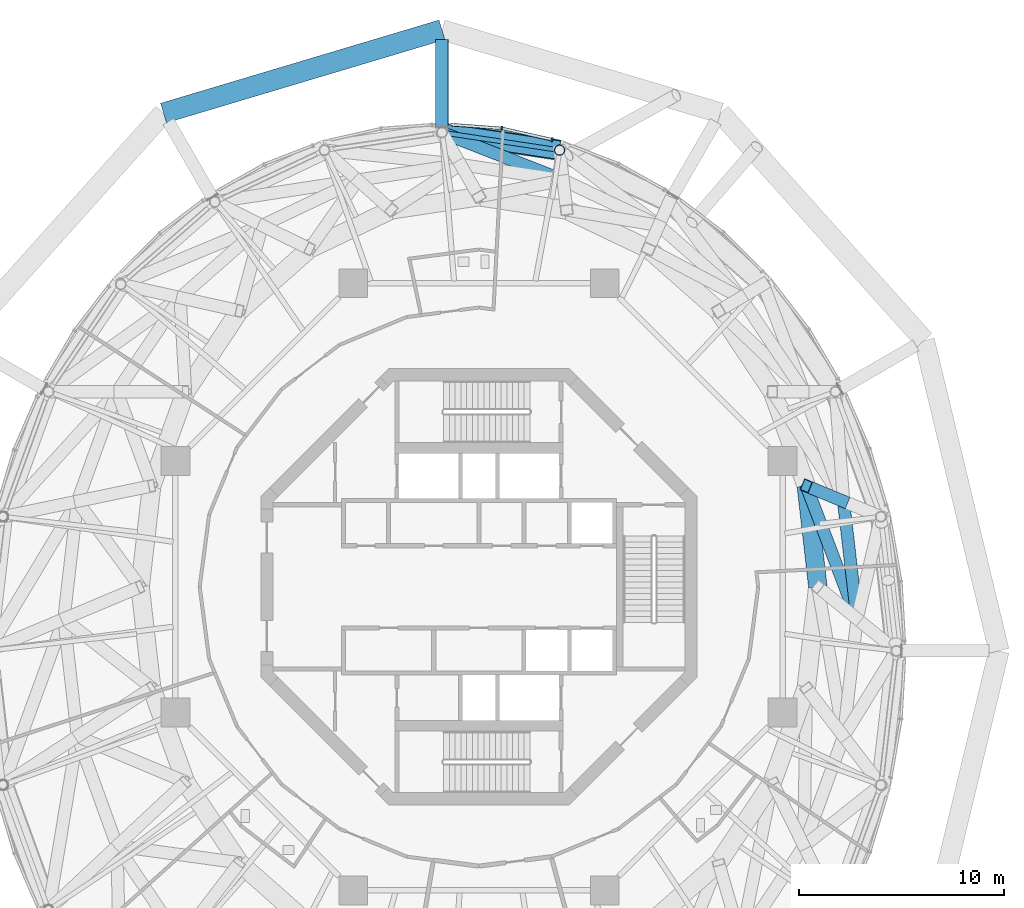
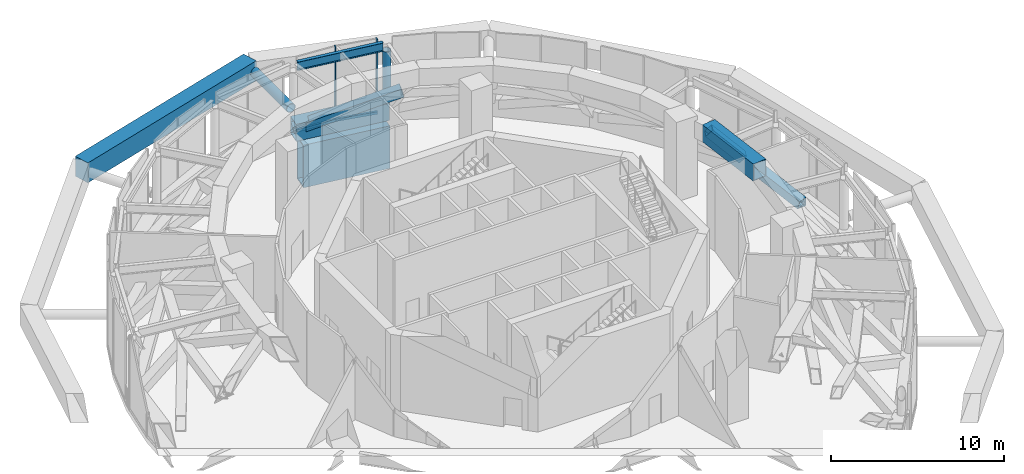
# One storey, part 9 of 22: 8 beams, 7 members, 2 elements without a shape of their own.
"""IFC4 building model written with IfcOpenShell, lengths in metres."""

from ifc_helpers import new_model, si_unit, direction, frame, origin, origin_2d, place, context, subcontext, project, spatial, rectangle, hollow_rectangle, hollow_circle, i_section, extrude, material, layer, layer_set, material_profile, profile_set, type_object, element, aggregate, save


model = new_model("IFC4")

# Units and contexts
model_context = context("Model", 3, precision=1e-05, world=origin(), true_north=direction((0.0, 1.0)))
body_context = subcontext(model_context, "Body", "Model", "MODEL_VIEW")
ifc_project = project(units=[si_unit("LENGTHUNIT", "METRE"), si_unit("AREAUNIT", "SQUARE_METRE"), si_unit("VOLUMEUNIT", "CUBIC_METRE"), si_unit("PLANEANGLEUNIT", "RADIAN"), si_unit("MASSUNIT", "GRAM", prefix="KILO")], contexts=[model_context])

# Site, building, storey
site_placement = place(None, origin())
site = spatial("IfcSite", under=ifc_project, at=site_placement, CompositionType="ELEMENT")
building_placement = place(site_placement, origin())
building = spatial("IfcBuilding", under=site, at=building_placement, Name="Nagisa Residences", CompositionType="ELEMENT")
storey_placement = place(building_placement, frame((0.0, 0.0, 310.300048828125)))
storey = spatial("IfcBuildingStorey", under=building, at=storey_placement, Name="L77", CompositionType="ELEMENT", Elevation=310.300048828125)

# Beams
ifc_material_1 = material(Name="Steel ASTM A572 Gr 50", Category="steel")
ifc_material_profile_1 = material_profile(ifc_material_1, hollow_rectangle(XDim=0.60009765625, YDim=0.60009765625, WallThickness=0.034912109375, at=origin_2d()), Name="BX 600x600x35")
ifc_profile_set_1 = profile_set([ifc_material_profile_1], Name="Steel ASTM A572 Gr 50")
beam_type_1 = type_object("IfcBeamType", Name="Belt chord 6 BX 600x600x35", PredefinedType="BEAM", material=ifc_profile_set_1)
beam_1_placement = place(storey_placement, frame((18.409912109375, -1.558837890625, 2.64990234375), z_axis=(-0.114173851429, 0.99346078516, 0.0), x_axis=(-0.99346078516, -0.114173851429, 0.0)))
element("IfcBeam", 1, at=beam_1_placement, inside=storey, type_object=beam_type_1, Name="beam:L77:bt6m01", PredefinedType="BEAM", context=body_context, shape_type="SweptSolid", body=[
    extrude(hollow_rectangle(XDim=0.60009765625, YDim=0.60009765625, WallThickness=0.034912109375, at=origin_2d()), origin(), (0.0, 0.0, 1.0), 5.7626953125),
])
ifc_material_2 = material(Name="Steel ASTM A572 Gr 50", Category="steel")
ifc_material_profile_2 = material_profile(ifc_material_2, hollow_rectangle(XDim=0.89990234375, YDim=1.199951171875, WallThickness=0.0400390625, at=origin_2d()), Name="BX 900x1200x40")
ifc_profile_set_2 = profile_set([ifc_material_profile_2], Name="Steel ASTM A572 Gr 50")
beam_type_2 = type_object("IfcBeamType", Name="Belt chord 6 BX 900x1200x40", PredefinedType="BEAM", material=ifc_profile_set_2)
beam_2_placement = place(storey_placement, frame((16.5, 0.0, 4.699951171875), z_axis=(-0.113598063475, 0.993526788756, 0.0), x_axis=(-0.993526788756, -0.113598063475, 0.0)))
element("IfcBeam", 2, at=beam_2_placement, inside=storey, type_object=beam_type_2, Name="beam:L77:bt6t01", PredefinedType="BEAM", context=body_context, shape_type="SweptSolid", body=[
    extrude(hollow_rectangle(XDim=0.89990234375, YDim=1.199951171875, WallThickness=0.0400390625, at=origin_2d()), origin(), (0.0, 0.0, 1.0), 4.949462890625),
])
beam_3_placement = place(storey_placement, frame((3.925048828125, 21.26220703125, 0.599853515625), z_axis=(-0.988902301615, 0.148567283948, 0.0), x_axis=(-0.148567283948, -0.988902301615, 0.0)))
element("IfcBeam", 3, at=beam_3_placement, inside=storey, type_object=beam_type_2, Name="beam:L77:bt6b06", PredefinedType="BEAM", context=body_context, shape_type="SweptSolid", body=[
    extrude(hollow_rectangle(XDim=0.89990234375, YDim=1.199951171875, WallThickness=0.0400390625, at=origin_2d()), origin(), (0.0, 0.0, 1.0), 5.789306640625),
])
ifc_material_3 = material(Name="Steel ASTM A572 Gr 50", Category="steel")
ifc_material_profile_3 = material_profile(ifc_material_3, hollow_rectangle(XDim=0.60009765625, YDim=0.60009765625, WallThickness=0.034912109375, at=origin_2d()), Name="BX 600x600x35")
ifc_profile_set_3 = profile_set([ifc_material_profile_3], Name="Steel ASTM A572 Gr 50")
beam_type_3 = type_object("IfcBeamType", Name="Belt diagonal 6 BX 600x600x35", PredefinedType="BEAM", material=ifc_profile_set_3)
beam_4_placement = place(storey_placement, frame((18.409912109375, -1.558837890625, 2.64990234375), z_axis=(-0.34198391465, 0.895892485081, 0.28359065093), x_axis=(-0.934247616835, -0.356624999739, 0.0)))
element("IfcBeam", 4, at=beam_4_placement, inside=storey, type_object=beam_type_3, Name="beam:L77:bt6ub01", PredefinedType="BEAM", context=body_context, shape_type="SweptSolid", body=[
    extrude(hollow_rectangle(XDim=0.60009765625, YDim=0.60009765625, WallThickness=0.034912109375, at=origin_2d()), origin(), (0.0, 0.0, 1.0), 7.22900390625),
])
beam_5_placement = place(storey_placement, frame((17.751953125, 4.166259765625, 2.64990234375), z_axis=(-0.639091812352, 0.26463268828, 0.722171167853), x_axis=(-0.382575077478, -0.923924407131, 0.0)))
element("IfcBeam", 5, at=beam_5_placement, inside=storey, type_object=beam_type_3, Name="beam:L77:bt6ua02", PredefinedType="BEAM", context=body_context, shape_type="SweptSolid", body=[
    extrude(hollow_rectangle(XDim=0.60009765625, YDim=0.60009765625, WallThickness=0.034912109375, at=origin_2d()), origin(), (0.0, 0.0, 1.0), 2.838623046875),
])
beam_6_placement = place(storey_placement, frame((-1.800048828125, 22.122314453125, 0.599853515625), z_axis=(0.885659242192, -0.347620702644, 0.3078433917), x_axis=(0.365363851783, 0.93086478922, 0.0)))
element("IfcBeam", 6, at=beam_6_placement, inside=storey, type_object=beam_type_3, Name="beam:L77:bt6lb06", PredefinedType="BEAM", context=body_context, shape_type="SweptSolid", body=[
    extrude(hollow_rectangle(XDim=0.60009765625, YDim=0.60009765625, WallThickness=0.034912109375, at=origin_2d()), origin(), (0.0, 0.0, 1.0), 6.659423828125),
])

# Curtain wall, member
ifc_material_4 = material(Name="Aluminium curtain wall system", Category="aluminium")
ifc_layer = layer(ifc_material_4, 0.159912109375)
ifc_layer_set = layer_set([ifc_layer], Name="CW2 CURTAIN WALL")
curtain_wall_type = type_object("IfcCurtainWallType", Name="CW2 CURTAIN WALL", PredefinedType="NOTDEFINED", material=ifc_layer_set)
curtain_wall_1_placement = place(storey_placement, origin())
curtain_wall_1 = element("IfcCurtainWall", 7, at=curtain_wall_1_placement, inside=storey, type_object=curtain_wall_type, Name="cw:CW2:L77:10", PredefinedType="NOTDEFINED")
ifc_material_5 = material(Name="Aluminium", Category="aluminium")
ifc_material_profile_4 = material_profile(ifc_material_5, rectangle(XDim=0.199951171875, YDim=0.080078125, at=origin_2d()), Name="CW2 MULLION 200x80")
ifc_profile_set_4 = profile_set([ifc_material_profile_4], Name="Aluminium")
member_type_1 = type_object("IfcMemberType", Name="CW2 MULLION 200x80", PredefinedType="MULLION", material=ifc_profile_set_4)
member_1_placement = place(storey_placement, frame((3.558837890625, 21.775390625, 0.0), z_axis=(0.0, 0.0, 1.0), x_axis=(-0.2207639201, -0.975327274089, 0.0)))
member_1 = element("IfcMember", 8, at=member_1_placement, type_object=member_type_1, Name="CW2 mullion", PredefinedType="MULLION", context=body_context, shape_type="SweptSolid", body=[
    extrude(rectangle(XDim=0.199951171875, YDim=0.080078125, at=origin_2d()), origin(), (0.0, 0.0, 1.0), 5.300048828125),
])

curtain_wall_2_placement = place(storey_placement, origin())
curtain_wall_2 = element("IfcCurtainWall", 9, at=curtain_wall_2_placement, inside=storey, type_object=curtain_wall_type, Name="cw:CW2:L77:11", PredefinedType="NOTDEFINED")
member_2_placement = place(storey_placement, frame((1.106689453125, 22.3251953125, 0.0), z_axis=(0.0, 0.0, 1.0), x_axis=(-0.074377355493, -0.997230168512, 0.0)))
member_2 = element("IfcMember", 10, at=member_2_placement, type_object=member_type_1, Name="CW2 mullion", PredefinedType="MULLION", context=body_context, shape_type="SweptSolid", body=[
    extrude(rectangle(XDim=0.199951171875, YDim=0.080078125, at=origin_2d()), origin(), (0.0, 0.0, 1.0), 5.300048828125),
])

# Member
ifc_material_6 = material(Name="Aluminium", Category="aluminium")
ifc_material_profile_5 = material_profile(ifc_material_6, rectangle(XDim=0.139892578125, YDim=0.179931640625, at=origin_2d()), Name="CW2 TRANSOM 140x180")
ifc_profile_set_5 = profile_set([ifc_material_profile_5], Name="Aluminium")
member_type_2 = type_object("IfcMemberType", Name="CW2 TRANSOM 140x180", PredefinedType="USERDEFINED", material=ifc_profile_set_5)
member_3_placement = place(storey_placement, frame((3.597900390625, 21.7666015625, 0.08984375), z_axis=(-0.975340398222, 0.220705930136, 0.0), x_axis=(-0.220705930136, -0.975340398222, 0.0)))
member_3 = element("IfcMember", 11, at=member_3_placement, type_object=member_type_2, Name="CW2 transom", ObjectType="TRANSOM", PredefinedType="USERDEFINED", context=body_context, shape_type="SweptSolid", body=[
    extrude(rectangle(XDim=0.139892578125, YDim=0.179931640625, at=origin_2d()), origin(), (0.0, 0.0, 1.0), 2.525390625),
])

aggregate(curtain_wall_1, [member_1, member_3])

member_4_placement = place(storey_placement, frame((1.146484375, 22.322265625, 0.08984375), z_axis=(-0.99722914645, 0.074391057731, 0.0), x_axis=(-0.074391057731, -0.99722914645, 0.0)))
member_4 = element("IfcMember", 12, at=member_4_placement, type_object=member_type_2, Name="CW2 transom", ObjectType="TRANSOM", PredefinedType="USERDEFINED", context=body_context, shape_type="SweptSolid", body=[
    extrude(rectangle(XDim=0.139892578125, YDim=0.179931640625, at=origin_2d()), origin(), (0.0, 0.0, 1.0), 2.510498046875),
])

aggregate(curtain_wall_2, [member_2, member_4])

# Members
ifc_material_7 = material(Name="Concrete C80", Category="concrete")
ifc_material_profile_6 = material_profile(ifc_material_7, rectangle(XDim=1.0, YDim=1.39990234375, at=origin_2d()), Name="C80 1000x1400")
ifc_profile_set_6 = profile_set([ifc_material_profile_6], Name="Concrete C80")
member_type_3 = type_object("IfcMemberType", Name="Cage ring 6 C80 1000x1400", PredefinedType="CHORD", material=ifc_profile_set_6)
member_5_placement = place(storey_placement, frame((-1.800048828125, 27.122314453125, 1.89990234375), z_axis=(-0.95814664846, -0.286277837154, 0.0), x_axis=(0.286277837154, -0.95814664846, 0.0)))
element("IfcMember", 13, at=member_5_placement, inside=storey, type_object=member_type_3, Name="beam:L77:cg6r104", PredefinedType="CHORD", context=body_context, shape_type="SweptSolid", body=[
    extrude(rectangle(XDim=1.0, YDim=1.39990234375, at=origin_2d()), origin(), (0.0, 0.0, 1.0), 14.15234375),
])
ifc_material_8 = material(Name="Steel ASTM A572 Gr 65", Category="steel")
ifc_material_profile_7 = material_profile(ifc_material_8, hollow_circle(Radius=0.304931640625, WallThickness=0.02490234375, at=origin_2d()), Name="CHS 610x25")
ifc_profile_set_7 = profile_set([ifc_material_profile_7], Name="Steel ASTM A572 Gr 65")
member_type_4 = type_object("IfcMemberType", Name="Cage strut CHS 610x25", PredefinedType="STRUT", material=ifc_profile_set_7)
member_6_placement = place(storey_placement, frame((-1.800048828125, 26.642333984375, 1.89990234375), z_axis=(0.0, -1.0, 0.0), x_axis=(1.0, 0.0, 0.0)))
element("IfcMember", 14, at=member_6_placement, inside=storey, type_object=member_type_4, Name="mem:L77:cg6tie04", PredefinedType="STRUT", context=body_context, shape_type="SweptSolid", body=[
    extrude(hollow_circle(Radius=0.304931640625, WallThickness=0.02490234375, at=origin_2d()), origin(), (0.0, 0.0, 1.0), 4.24609375),
])

# Beam
ifc_material_9 = material(Name="Steel ASTM A572 Gr 50", Category="steel")
ifc_material_profile_8 = material_profile(ifc_material_9, i_section(OverallWidth=0.22802734375, OverallDepth=0.60302734375, WebThickness=0.010498046875, FlangeThickness=0.014892578125, at=origin_2d()), Name="W610x101")
ifc_profile_set_8 = profile_set([ifc_material_profile_8], Name="Steel ASTM A572 Gr 50")
beam_type_4 = type_object("IfcBeamType", Name="Garden edge beam W610x101", PredefinedType="BEAM", material=ifc_profile_set_8)
beam_7_placement = place(storey_placement, frame((3.693603515625, 21.297119140625, 4.99853515625), z_axis=(-0.988903348477, 0.148560315597, 0.0), x_axis=(-0.148560315597, -0.988903348477, 0.0)))
element("IfcBeam", 15, at=beam_7_placement, inside=storey, type_object=beam_type_4, Name="beam:L77:bt6ge06", PredefinedType="BEAM", context=body_context, shape_type="SweptSolid", body=[
    extrude(i_section(OverallWidth=0.22802734375, OverallDepth=0.60302734375, WebThickness=0.010498046875, FlangeThickness=0.014892578125, at=origin_2d()), origin(), (0.0, 0.0, 1.0), 5.3212890625),
])

# Member
ifc_material_10 = material(Name="Steel ASTM A572 Gr 65", Category="steel")
ifc_material_profile_9 = material_profile(ifc_material_10, hollow_circle(Radius=0.25390625, WallThickness=0.02001953125, at=origin_2d()), Name="CHS 508x20")
ifc_profile_set_9 = profile_set([ifc_material_profile_9], Name="Steel ASTM A572 Gr 65")
member_type_5 = type_object("IfcMemberType", Name="Garden edge post CHS 508x20", PredefinedType="POST", material=ifc_profile_set_9)
member_7_placement = place(storey_placement, frame((3.925048828125, 21.26220703125, 1.199951171875), z_axis=(0.0, 0.0, 1.0), x_axis=(1.0, 0.0, 0.0)))
element("IfcMember", 16, at=member_7_placement, inside=storey, type_object=member_type_5, Name="mem:L77:gp606", PredefinedType="POST", context=body_context, shape_type="SweptSolid", body=[
    extrude(hollow_circle(Radius=0.25390625, WallThickness=0.02001953125, at=origin_2d()), origin(), (0.0, 0.0, 1.0), 3.4970703125),
])

# Beam
ifc_material_11 = material(Name="Steel ASTM A572 Gr 50", Category="steel")
ifc_material_profile_10 = material_profile(ifc_material_11, hollow_rectangle(XDim=1.0, YDim=3.0, WallThickness=0.070068359375, at=origin_2d()), Name="BX 1000x3000x70")
ifc_profile_set_10 = profile_set([ifc_material_profile_10], Name="Steel ASTM A572 Gr 50")
beam_type_5 = type_object("IfcBeamType", Name="Portal lintel girder BX 1000x3000x70", PredefinedType="BEAM", material=ifc_profile_set_10)
beam_8_placement = place(storey_placement, frame((3.925048828125, 21.26220703125, -1.85009765625), z_axis=(-0.988904222395, 0.148554498182, 0.0), x_axis=(-0.148554498182, -0.988904222395, 0.0)))
element("IfcBeam", 17, at=beam_8_placement, inside=storey, type_object=beam_type_5, Name="beam:L77:pb06", PredefinedType="BEAM", context=body_context, shape_type="SweptSolid", body=[
    extrude(hollow_rectangle(XDim=1.0, YDim=3.0, WallThickness=0.070068359375, at=origin_2d()), origin(), (0.0, 0.0, 1.0), 5.354248046875),
])

save(model, "model.ifc")
